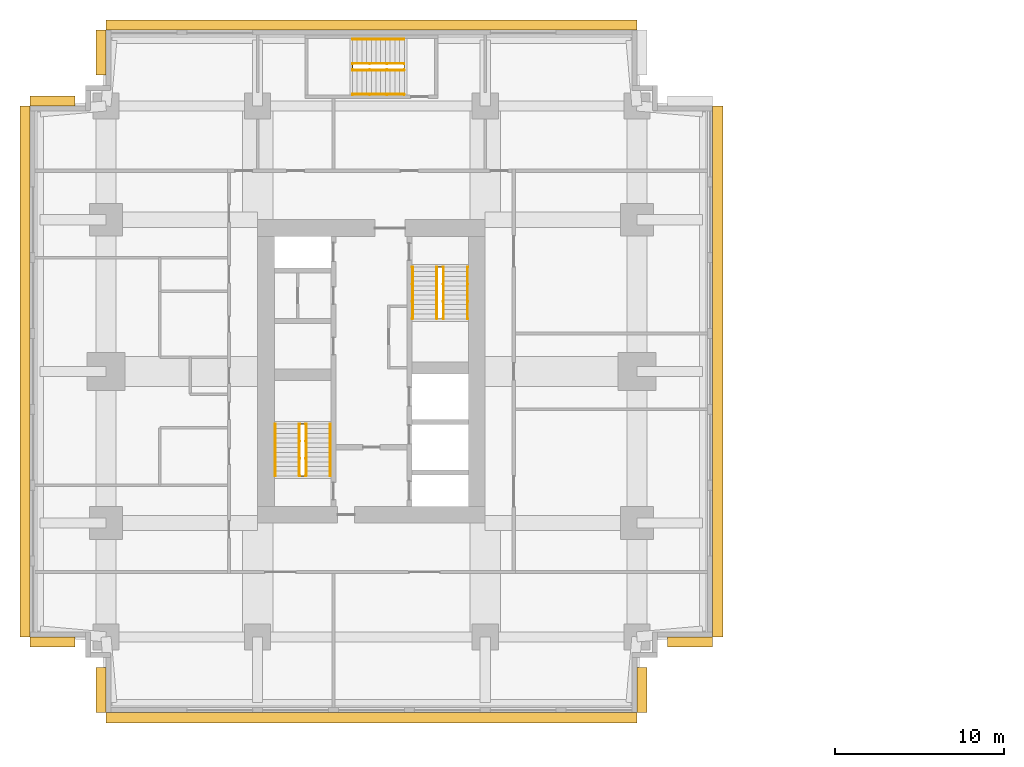
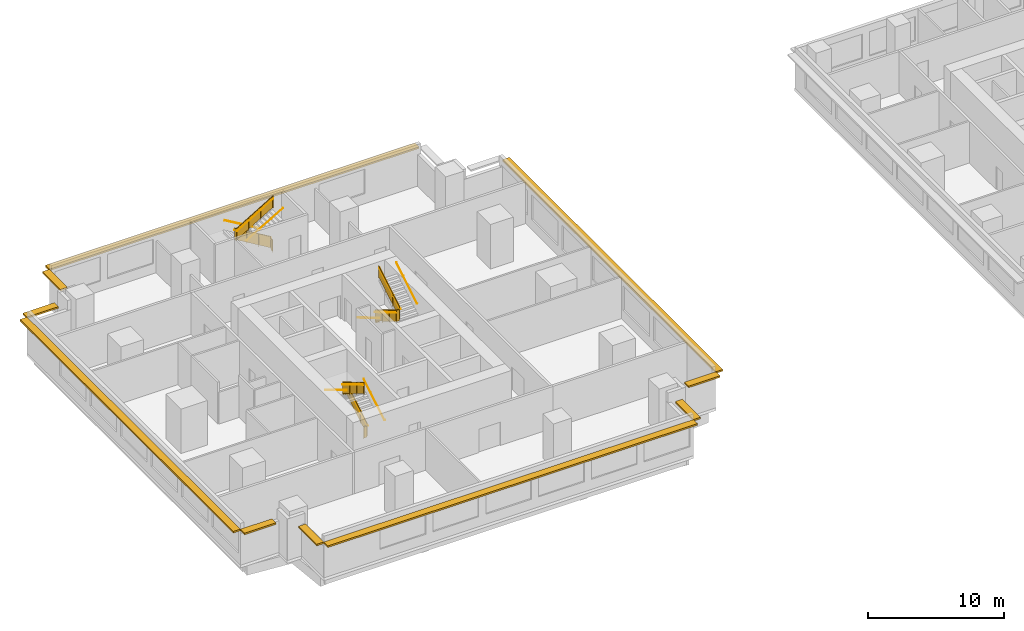
# One storey, part 10 of 11: 15 railings, 10 shading devices.
"""IFC4 building model written with IfcOpenShell, lengths in metres."""

from ifc_helpers import new_model, si_unit, direction, frame, origin, origin_2d, place, context, subcontext, project, spatial, polyline, rectangle, circle, outline, extrude, material, layer, layer_set, type_object, element, save


model = new_model("IFC4")

# Units and contexts
model_context = context("Model", 3, precision=1e-05, world=origin(), true_north=direction((0.0, 1.0)))
body_context = subcontext(model_context, "Body", "Model", "MODEL_VIEW")
ifc_project = project(units=[si_unit("LENGTHUNIT", "METRE"), si_unit("AREAUNIT", "SQUARE_METRE"), si_unit("VOLUMEUNIT", "CUBIC_METRE"), si_unit("PLANEANGLEUNIT", "RADIAN"), si_unit("MASSUNIT", "GRAM", prefix="KILO")], contexts=[model_context])

# Site, building, storey
site_placement = place(None, origin())
site = spatial("IfcSite", under=ifc_project, at=site_placement, CompositionType="ELEMENT")
building_placement = place(site_placement, origin())
building = spatial("IfcBuilding", under=site, at=building_placement, Name="Namib Vertical Campus", CompositionType="ELEMENT")
storey_placement = place(building_placement, frame((0.0, 0.0, 221.0)))
storey = spatial("IfcBuildingStorey", under=building, at=storey_placement, Name="L52", CompositionType="ELEMENT", Elevation=221.0)

# Railings
ifc_material_1 = material(Name="Steel handrail", Category="steel")
railing_type_1 = type_object("IfcRailingType", Name="Handrail 900", PredefinedType="HANDRAIL", material=ifc_material_1)
railing_1_placement = place(storey_placement, frame((17.800048828125, 14.050048828125, 0.166748046875)))
element("IfcRailing", 1, at=railing_1_placement, inside=storey, type_object=railing_type_1, Name="Handrail HR1 A-S1 L52 1", PredefinedType="HANDRAIL", context=body_context, shape_type="SweptSolid", body=[
    extrude(circle(Radius=0.02392578125, at=origin_2d()), frame((0.0, 0.0, 0.8759765625), z_axis=(0.0, 0.859290745958, 0.51148745235), x_axis=(-1.0, 0.0, 0.0)), (0.0, 0.0, 1.0), 3.584228515625),
    extrude(circle(Radius=0.008056640625, at=origin_2d()), frame((0.0, 0.0, 0.8759765625), z_axis=(1.0, 0.0, 0.0), x_axis=(0.0, 0.0, 1.0)), (0.0, 0.0, 1.0), 0.050048828125),
    extrude(circle(Radius=0.008056640625, at=origin_2d()), frame((0.0, 1.026611328125, 1.48681640625), z_axis=(1.0, 0.0, 0.0), x_axis=(0.0, 0.0, 1.0)), (0.0, 0.0, 1.0), 0.050048828125),
    extrude(circle(Radius=0.008056640625, at=origin_2d()), frame((0.0, 2.05322265625, 2.09814453125), z_axis=(1.0, 0.0, 0.0), x_axis=(0.0, 0.0, 1.0)), (0.0, 0.0, 1.0), 0.050048828125),
    extrude(circle(Radius=0.008056640625, at=origin_2d()), frame((0.0, 3.079833984375, 2.708984375), z_axis=(1.0, 0.0, 0.0), x_axis=(0.0, 0.0, 1.0)), (0.0, 0.0, 1.0), 0.050048828125),
])
railing_2_placement = place(storey_placement, frame((14.550048828125, 17.1298828125, 2.166748046875)))
element("IfcRailing", 2, at=railing_2_placement, inside=storey, type_object=railing_type_1, Name="Handrail HR1 A-S1 L52 2", PredefinedType="HANDRAIL", context=body_context, shape_type="SweptSolid", body=[
    extrude(circle(Radius=0.02392578125, at=origin_2d()), frame((0.0, 0.0, 0.8759765625), z_axis=(0.0, -0.859290745958, 0.51148745235), x_axis=(1.0, 0.0, 0.0)), (0.0, 0.0, 1.0), 3.584228515625),
    extrude(circle(Radius=0.008056640625, at=origin_2d()), frame((0.0, 0.0, 0.8759765625), z_axis=(-1.0, 0.0, 0.0), x_axis=(0.0, 0.0, 1.0)), (0.0, 0.0, 1.0), 0.050048828125),
    extrude(circle(Radius=0.008056640625, at=origin_2d()), frame((0.0, -1.026611328125, 1.48681640625), z_axis=(-1.0, 0.0, 0.0), x_axis=(0.0, 0.0, 1.0)), (0.0, 0.0, 1.0), 0.050048828125),
    extrude(circle(Radius=0.008056640625, at=origin_2d()), frame((0.0, -2.05322265625, 2.09814453125), z_axis=(-1.0, 0.0, 0.0), x_axis=(0.0, 0.0, 1.0)), (0.0, 0.0, 1.0), 0.050048828125),
    extrude(circle(Radius=0.008056640625, at=origin_2d()), frame((0.0, -3.079833984375, 2.708984375), z_axis=(-1.0, 0.0, 0.0), x_axis=(0.0, 0.0, 1.0)), (0.0, 0.0, 1.0), 0.050048828125),
])
railing_3_placement = place(storey_placement, frame((16.375, 14.050048828125, 0.166748046875)))
element("IfcRailing", 3, at=railing_3_placement, inside=storey, type_object=railing_type_1, Name="Handrail HR1 A-S1 L52 1 at the well", PredefinedType="HANDRAIL", context=body_context, shape_type="SweptSolid", body=[
    extrude(circle(Radius=0.02392578125, at=origin_2d()), frame((0.0, 0.0, 0.8759765625), z_axis=(0.0, 0.859290745958, 0.51148745235), x_axis=(-1.0, 0.0, 0.0)), (0.0, 0.0, 1.0), 3.584228515625),
    extrude(circle(Radius=0.008056640625, at=origin_2d()), frame((0.0, 0.0, 0.8759765625), z_axis=(-1.0, 0.0, 0.0), x_axis=(0.0, 0.0, 1.0)), (0.0, 0.0, 1.0), 0.0400390625),
    extrude(circle(Radius=0.008056640625, at=origin_2d()), frame((0.0, 1.026611328125, 1.48681640625), z_axis=(-1.0, 0.0, 0.0), x_axis=(0.0, 0.0, 1.0)), (0.0, 0.0, 1.0), 0.0400390625),
    extrude(circle(Radius=0.008056640625, at=origin_2d()), frame((0.0, 2.05322265625, 2.09814453125), z_axis=(-1.0, 0.0, 0.0), x_axis=(0.0, 0.0, 1.0)), (0.0, 0.0, 1.0), 0.0400390625),
    extrude(circle(Radius=0.008056640625, at=origin_2d()), frame((0.0, 3.079833984375, 2.708984375), z_axis=(-1.0, 0.0, 0.0), x_axis=(0.0, 0.0, 1.0)), (0.0, 0.0, 1.0), 0.0400390625),
])
railing_4_placement = place(storey_placement, frame((15.97509765625, 17.1298828125, 2.166748046875)))
element("IfcRailing", 4, at=railing_4_placement, inside=storey, type_object=railing_type_1, Name="Handrail HR1 A-S1 L52 2 at the well", PredefinedType="HANDRAIL", context=body_context, shape_type="SweptSolid", body=[
    extrude(circle(Radius=0.02392578125, at=origin_2d()), frame((0.0, 0.0, 0.8759765625), z_axis=(0.0, -0.859290745958, 0.51148745235), x_axis=(1.0, 0.0, 0.0)), (0.0, 0.0, 1.0), 3.584228515625),
    extrude(circle(Radius=0.008056640625, at=origin_2d()), frame((0.0, 0.0, 0.8759765625), z_axis=(1.0, 0.0, 0.0), x_axis=(0.0, 0.0, 1.0)), (0.0, 0.0, 1.0), 0.0400390625),
    extrude(circle(Radius=0.008056640625, at=origin_2d()), frame((0.0, -1.026611328125, 1.48681640625), z_axis=(1.0, 0.0, 0.0), x_axis=(0.0, 0.0, 1.0)), (0.0, 0.0, 1.0), 0.0400390625),
    extrude(circle(Radius=0.008056640625, at=origin_2d()), frame((0.0, -2.05322265625, 2.09814453125), z_axis=(1.0, 0.0, 0.0), x_axis=(0.0, 0.0, 1.0)), (0.0, 0.0, 1.0), 0.0400390625),
    extrude(circle(Radius=0.008056640625, at=origin_2d()), frame((0.0, -3.079833984375, 2.708984375), z_axis=(1.0, 0.0, 0.0), x_axis=(0.0, 0.0, 1.0)), (0.0, 0.0, 1.0), 0.0400390625),
])
railing_5_placement = place(storey_placement, frame((22.699951171875, 26.449951171875, 0.166748046875)))
element("IfcRailing", 5, at=railing_5_placement, inside=storey, type_object=railing_type_1, Name="Handrail HR1 A-S2 L52 1", PredefinedType="HANDRAIL", context=body_context, shape_type="SweptSolid", body=[
    extrude(circle(Radius=0.02392578125, at=origin_2d()), frame((0.0, 0.0, 0.8759765625), z_axis=(0.0, -0.859290745958, 0.51148745235), x_axis=(1.0, 0.0, 0.0)), (0.0, 0.0, 1.0), 3.584228515625),
    extrude(circle(Radius=0.008056640625, at=origin_2d()), frame((0.0, 0.0, 0.8759765625), z_axis=(-1.0, 0.0, 0.0), x_axis=(0.0, 0.0, 1.0)), (0.0, 0.0, 1.0), 0.050048828125),
    extrude(circle(Radius=0.008056640625, at=origin_2d()), frame((0.0, -1.026611328125, 1.48681640625), z_axis=(-1.0, 0.0, 0.0), x_axis=(0.0, 0.0, 1.0)), (0.0, 0.0, 1.0), 0.050048828125),
    extrude(circle(Radius=0.008056640625, at=origin_2d()), frame((0.0, -2.05322265625, 2.09814453125), z_axis=(-1.0, 0.0, 0.0), x_axis=(0.0, 0.0, 1.0)), (0.0, 0.0, 1.0), 0.050048828125),
    extrude(circle(Radius=0.008056640625, at=origin_2d()), frame((0.0, -3.079833984375, 2.708984375), z_axis=(-1.0, 0.0, 0.0), x_axis=(0.0, 0.0, 1.0)), (0.0, 0.0, 1.0), 0.050048828125),
])
railing_6_placement = place(storey_placement, frame((25.949951171875, 23.3701171875, 2.166748046875)))
element("IfcRailing", 6, at=railing_6_placement, inside=storey, type_object=railing_type_1, Name="Handrail HR1 A-S2 L52 2", PredefinedType="HANDRAIL", context=body_context, shape_type="SweptSolid", body=[
    extrude(circle(Radius=0.02392578125, at=origin_2d()), frame((0.0, 0.0, 0.8759765625), z_axis=(0.0, 0.859290745958, 0.51148745235), x_axis=(-1.0, 0.0, 0.0)), (0.0, 0.0, 1.0), 3.584228515625),
    extrude(circle(Radius=0.008056640625, at=origin_2d()), frame((0.0, 0.0, 0.8759765625), z_axis=(1.0, 0.0, 0.0), x_axis=(0.0, 0.0, 1.0)), (0.0, 0.0, 1.0), 0.050048828125),
    extrude(circle(Radius=0.008056640625, at=origin_2d()), frame((0.0, 1.026611328125, 1.48681640625), z_axis=(1.0, 0.0, 0.0), x_axis=(0.0, 0.0, 1.0)), (0.0, 0.0, 1.0), 0.050048828125),
    extrude(circle(Radius=0.008056640625, at=origin_2d()), frame((0.0, 2.05322265625, 2.09814453125), z_axis=(1.0, 0.0, 0.0), x_axis=(0.0, 0.0, 1.0)), (0.0, 0.0, 1.0), 0.050048828125),
    extrude(circle(Radius=0.008056640625, at=origin_2d()), frame((0.0, 3.079833984375, 2.708984375), z_axis=(1.0, 0.0, 0.0), x_axis=(0.0, 0.0, 1.0)), (0.0, 0.0, 1.0), 0.050048828125),
])
railing_7_placement = place(storey_placement, frame((24.125, 26.449951171875, 0.166748046875)))
element("IfcRailing", 7, at=railing_7_placement, inside=storey, type_object=railing_type_1, Name="Handrail HR1 A-S2 L52 1 at the well", PredefinedType="HANDRAIL", context=body_context, shape_type="SweptSolid", body=[
    extrude(circle(Radius=0.02392578125, at=origin_2d()), frame((0.0, 0.0, 0.8759765625), z_axis=(0.0, -0.859290745958, 0.51148745235), x_axis=(1.0, 0.0, 0.0)), (0.0, 0.0, 1.0), 3.584228515625),
    extrude(circle(Radius=0.008056640625, at=origin_2d()), frame((0.0, 0.0, 0.8759765625), z_axis=(1.0, 0.0, 0.0), x_axis=(0.0, 0.0, 1.0)), (0.0, 0.0, 1.0), 0.0400390625),
    extrude(circle(Radius=0.008056640625, at=origin_2d()), frame((0.0, -1.026611328125, 1.48681640625), z_axis=(1.0, 0.0, 0.0), x_axis=(0.0, 0.0, 1.0)), (0.0, 0.0, 1.0), 0.0400390625),
    extrude(circle(Radius=0.008056640625, at=origin_2d()), frame((0.0, -2.05322265625, 2.09814453125), z_axis=(1.0, 0.0, 0.0), x_axis=(0.0, 0.0, 1.0)), (0.0, 0.0, 1.0), 0.0400390625),
    extrude(circle(Radius=0.008056640625, at=origin_2d()), frame((0.0, -3.079833984375, 2.708984375), z_axis=(1.0, 0.0, 0.0), x_axis=(0.0, 0.0, 1.0)), (0.0, 0.0, 1.0), 0.0400390625),
])
railing_8_placement = place(storey_placement, frame((24.52490234375, 23.3701171875, 2.166748046875)))
element("IfcRailing", 8, at=railing_8_placement, inside=storey, type_object=railing_type_1, Name="Handrail HR1 A-S2 L52 2 at the well", PredefinedType="HANDRAIL", context=body_context, shape_type="SweptSolid", body=[
    extrude(circle(Radius=0.02392578125, at=origin_2d()), frame((0.0, 0.0, 0.8759765625), z_axis=(0.0, 0.859290745958, 0.51148745235), x_axis=(-1.0, 0.0, 0.0)), (0.0, 0.0, 1.0), 3.584228515625),
    extrude(circle(Radius=0.008056640625, at=origin_2d()), frame((0.0, 0.0, 0.8759765625), z_axis=(-1.0, 0.0, 0.0), x_axis=(0.0, 0.0, 1.0)), (0.0, 0.0, 1.0), 0.0400390625),
    extrude(circle(Radius=0.008056640625, at=origin_2d()), frame((0.0, 1.026611328125, 1.48681640625), z_axis=(-1.0, 0.0, 0.0), x_axis=(0.0, 0.0, 1.0)), (0.0, 0.0, 1.0), 0.0400390625),
    extrude(circle(Radius=0.008056640625, at=origin_2d()), frame((0.0, 2.05322265625, 2.09814453125), z_axis=(-1.0, 0.0, 0.0), x_axis=(0.0, 0.0, 1.0)), (0.0, 0.0, 1.0), 0.0400390625),
    extrude(circle(Radius=0.008056640625, at=origin_2d()), frame((0.0, 3.079833984375, 2.708984375), z_axis=(-1.0, 0.0, 0.0), x_axis=(0.0, 0.0, 1.0)), (0.0, 0.0, 1.0), 0.0400390625),
])
railing_9_placement = place(storey_placement, frame((22.199951171875, 39.949951171875, 0.166748046875)))
element("IfcRailing", 9, at=railing_9_placement, inside=storey, type_object=railing_type_1, Name="Handrail HR1 A-S3 L52 1", PredefinedType="HANDRAIL", context=body_context, shape_type="SweptSolid", body=[
    extrude(circle(Radius=0.02392578125, at=origin_2d()), frame((0.0, 0.0, 0.8759765625), z_axis=(-0.859290745958, 0.0, 0.51148745235), x_axis=(0.0, -1.0, 0.0)), (0.0, 0.0, 1.0), 3.584228515625),
    extrude(circle(Radius=0.008056640625, at=origin_2d()), frame((0.0, 0.0, 0.8759765625), z_axis=(0.0, 1.0, 0.0), x_axis=(0.0, 0.0, 1.0)), (0.0, 0.0, 1.0), 0.050048828125),
    extrude(circle(Radius=0.008056640625, at=origin_2d()), frame((-1.026611328125, 0.0, 1.48681640625), z_axis=(0.0, 1.0, 0.0), x_axis=(0.0, 0.0, 1.0)), (0.0, 0.0, 1.0), 0.050048828125),
    extrude(circle(Radius=0.008056640625, at=origin_2d()), frame((-2.05322265625, 0.0, 2.09814453125), z_axis=(0.0, 1.0, 0.0), x_axis=(0.0, 0.0, 1.0)), (0.0, 0.0, 1.0), 0.050048828125),
    extrude(circle(Radius=0.008056640625, at=origin_2d()), frame((-3.079833984375, 0.0, 2.708984375), z_axis=(0.0, 1.0, 0.0), x_axis=(0.0, 0.0, 1.0)), (0.0, 0.0, 1.0), 0.050048828125),
])
railing_10_placement = place(storey_placement, frame((19.1201171875, 36.699951171875, 2.166748046875)))
element("IfcRailing", 10, at=railing_10_placement, inside=storey, type_object=railing_type_1, Name="Handrail HR1 A-S3 L52 2", PredefinedType="HANDRAIL", context=body_context, shape_type="SweptSolid", body=[
    extrude(circle(Radius=0.02392578125, at=origin_2d()), frame((0.0, 0.0, 0.8759765625), z_axis=(0.859290745958, 0.0, 0.51148745235), x_axis=(0.0, 1.0, 0.0)), (0.0, 0.0, 1.0), 3.584228515625),
    extrude(circle(Radius=0.008056640625, at=origin_2d()), frame((0.0, 0.0, 0.8759765625), z_axis=(0.0, -1.0, 0.0), x_axis=(0.0, 0.0, 1.0)), (0.0, 0.0, 1.0), 0.050048828125),
    extrude(circle(Radius=0.008056640625, at=origin_2d()), frame((1.026611328125, 0.0, 1.48681640625), z_axis=(0.0, -1.0, 0.0), x_axis=(0.0, 0.0, 1.0)), (0.0, 0.0, 1.0), 0.050048828125),
    extrude(circle(Radius=0.008056640625, at=origin_2d()), frame((2.05322265625, 0.0, 2.09814453125), z_axis=(0.0, -1.0, 0.0), x_axis=(0.0, 0.0, 1.0)), (0.0, 0.0, 1.0), 0.050048828125),
    extrude(circle(Radius=0.008056640625, at=origin_2d()), frame((3.079833984375, 0.0, 2.708984375), z_axis=(0.0, -1.0, 0.0), x_axis=(0.0, 0.0, 1.0)), (0.0, 0.0, 1.0), 0.050048828125),
])
railing_11_placement = place(storey_placement, frame((22.199951171875, 38.52490234375, 0.166748046875)))
element("IfcRailing", 11, at=railing_11_placement, inside=storey, type_object=railing_type_1, Name="Handrail HR1 A-S3 L52 1 at the well", PredefinedType="HANDRAIL", context=body_context, shape_type="SweptSolid", body=[
    extrude(circle(Radius=0.02392578125, at=origin_2d()), frame((0.0, 0.0, 0.8759765625), z_axis=(-0.859290745958, 0.0, 0.51148745235), x_axis=(0.0, -1.0, 0.0)), (0.0, 0.0, 1.0), 3.584228515625),
    extrude(circle(Radius=0.008056640625, at=origin_2d()), frame((0.0, 0.0, 0.8759765625), z_axis=(0.0, -1.0, 0.0), x_axis=(0.0, 0.0, 1.0)), (0.0, 0.0, 1.0), 0.0400390625),
    extrude(circle(Radius=0.008056640625, at=origin_2d()), frame((-1.026611328125, 0.0, 1.48681640625), z_axis=(0.0, -1.0, 0.0), x_axis=(0.0, 0.0, 1.0)), (0.0, 0.0, 1.0), 0.0400390625),
    extrude(circle(Radius=0.008056640625, at=origin_2d()), frame((-2.05322265625, 0.0, 2.09814453125), z_axis=(0.0, -1.0, 0.0), x_axis=(0.0, 0.0, 1.0)), (0.0, 0.0, 1.0), 0.0400390625),
    extrude(circle(Radius=0.008056640625, at=origin_2d()), frame((-3.079833984375, 0.0, 2.708984375), z_axis=(0.0, -1.0, 0.0), x_axis=(0.0, 0.0, 1.0)), (0.0, 0.0, 1.0), 0.0400390625),
])
railing_12_placement = place(storey_placement, frame((19.1201171875, 38.125, 2.166748046875)))
element("IfcRailing", 12, at=railing_12_placement, inside=storey, type_object=railing_type_1, Name="Handrail HR1 A-S3 L52 2 at the well", PredefinedType="HANDRAIL", context=body_context, shape_type="SweptSolid", body=[
    extrude(circle(Radius=0.02392578125, at=origin_2d()), frame((0.0, 0.0, 0.8759765625), z_axis=(0.859290745958, 0.0, 0.51148745235), x_axis=(0.0, 1.0, 0.0)), (0.0, 0.0, 1.0), 3.584228515625),
    extrude(circle(Radius=0.008056640625, at=origin_2d()), frame((0.0, 0.0, 0.8759765625), z_axis=(0.0, 1.0, 0.0), x_axis=(0.0, 0.0, 1.0)), (0.0, 0.0, 1.0), 0.0400390625),
    extrude(circle(Radius=0.008056640625, at=origin_2d()), frame((1.026611328125, 0.0, 1.48681640625), z_axis=(0.0, 1.0, 0.0), x_axis=(0.0, 0.0, 1.0)), (0.0, 0.0, 1.0), 0.0400390625),
    extrude(circle(Radius=0.008056640625, at=origin_2d()), frame((2.05322265625, 0.0, 2.09814453125), z_axis=(0.0, 1.0, 0.0), x_axis=(0.0, 0.0, 1.0)), (0.0, 0.0, 1.0), 0.0400390625),
    extrude(circle(Radius=0.008056640625, at=origin_2d()), frame((3.079833984375, 0.0, 2.708984375), z_axis=(0.0, 1.0, 0.0), x_axis=(0.0, 0.0, 1.0)), (0.0, 0.0, 1.0), 0.0400390625),
])
ifc_material_2 = material(Name="Steel balustrade", Category="steel")
railing_type_2 = type_object("IfcRailingType", Name="Stair guard 1100", PredefinedType="GUARDRAIL", material=ifc_material_2)
railing_13_placement = place(storey_placement, frame((16.02490234375, 14.050048828125, 0.0)))
element("IfcRailing", 13, at=railing_13_placement, inside=storey, type_object=railing_type_2, Name="Stair guard GR1 A-S1 L52", PredefinedType="GUARDRAIL", context=body_context, shape_type="SweptSolid", body=[
    extrude(circle(Radius=0.02392578125, at=origin_2d()), frame((0.0, 0.0, 1.076171875), z_axis=(1.0, 0.0, 0.0), x_axis=(0.0, 1.0, 0.0)), (0.0, 0.0, 1.0), 0.300048828125),
    extrude(outline(polyline([(0.02099609375, 0.050048828125), (0.279052734375, 0.050048828125), (0.279052734375, 1.052001953125), (0.02099609375, 1.052001953125), (0.02099609375, 0.050048828125)])), frame((0.0, 0.010009765625, 0.0), z_axis=(0.0, -1.0, 0.0), x_axis=(1.0, 0.0, 0.0)), (0.0, 0.0, 1.0), 0.02001953125),
    extrude(circle(Radius=0.02392578125, at=origin_2d()), frame((0.300048828125, 0.0, 1.076171875), z_axis=(0.0, 0.0, 1.0), x_axis=(1.0, 0.0, 0.0)), (0.0, 0.0, 1.0), 0.166748046875),
    extrude(circle(Radius=0.02392578125, at=origin_2d()), frame((0.300048828125, 0.0, 1.24267578125), z_axis=(0.0, 0.859290745958, 0.51148745235), x_axis=(-1.0, 0.0, 0.0)), (0.0, 0.0, 1.0), 3.584228515625),
    extrude(outline(polyline([(0.02099609375, 0.0625), (3.058837890625, 1.870849609375), (3.058837890625, 2.872802734375), (0.02099609375, 1.064453125), (0.02099609375, 0.0625)])), frame((0.2900390625, 0.0, 0.166748046875), z_axis=(1.0, 0.0, 0.0), x_axis=(0.0, 1.0, 0.0)), (0.0, 0.0, 1.0), 0.02001953125),
    extrude(circle(Radius=0.02392578125, at=origin_2d()), frame((0.300048828125, 3.079833984375, 3.076171875), z_axis=(-1.0, 0.0, 0.0), x_axis=(0.0, -1.0, 0.0)), (0.0, 0.0, 1.0), 0.300048828125),
    extrude(outline(polyline([(0.02099609375, 0.050048828125), (0.279052734375, 0.050048828125), (0.279052734375, 1.052001953125), (0.02099609375, 1.052001953125), (0.02099609375, 0.050048828125)])), frame((0.300048828125, 3.06982421875, 2.0), z_axis=(0.0, 1.0, 0.0), x_axis=(-1.0, 0.0, 0.0)), (0.0, 0.0, 1.0), 0.02001953125),
    extrude(circle(Radius=0.02392578125, at=origin_2d()), frame((0.0, 3.079833984375, 3.076171875), z_axis=(0.0, 0.0, 1.0), x_axis=(1.0, 0.0, 0.0)), (0.0, 0.0, 1.0), 0.166748046875),
    extrude(circle(Radius=0.02392578125, at=origin_2d()), frame((0.0, 3.079833984375, 3.24267578125), z_axis=(0.0, -0.859290745958, 0.51148745235), x_axis=(1.0, 0.0, 0.0)), (0.0, 0.0, 1.0), 3.584228515625),
    extrude(outline(polyline([(0.02099609375, 0.0625), (3.058837890625, 1.870849609375), (3.058837890625, 2.872802734375), (0.02099609375, 1.064453125), (0.02099609375, 0.0625)])), frame((0.010009765625, 3.079833984375, 2.166748046875), z_axis=(-1.0, 0.0, 0.0), x_axis=(0.0, -1.0, 0.0)), (0.0, 0.0, 1.0), 0.02001953125),
    extrude(circle(Radius=0.02392578125, at=origin_2d()), frame((0.0, 0.0, 5.076171875), z_axis=(0.0, -1.0, 0.0), x_axis=(1.0, 0.0, 0.0)), (0.0, 0.0, 1.0), 0.050048828125),
    extrude(outline(polyline([(0.02099609375, 0.050048828125), (0.029052734375, 0.050048828125), (0.029052734375, 1.052001953125), (0.02099609375, 1.052001953125), (0.02099609375, 0.050048828125)])), frame((0.010009765625, 0.0, 4.0), z_axis=(-1.0, 0.0, 0.0), x_axis=(0.0, -1.0, 0.0)), (0.0, 0.0, 1.0), 0.02001953125),
    extrude(circle(Radius=0.02099609375, at=origin_2d()), origin(), (0.0, 0.0, 1.0), 1.052001953125),
    extrude(circle(Radius=0.02099609375, at=origin_2d()), frame((0.300048828125, 0.0, 0.166748046875)), (0.0, 0.0, 1.0), 1.052001953125),
    extrude(circle(Radius=0.02099609375, at=origin_2d()), frame((0.300048828125, 1.026611328125, 0.666748046875)), (0.0, 0.0, 1.0), 1.1630859375),
    extrude(circle(Radius=0.02099609375, at=origin_2d()), frame((0.300048828125, 2.05322265625, 1.33349609375)), (0.0, 0.0, 1.0), 1.107421875),
    extrude(circle(Radius=0.02099609375, at=origin_2d()), frame((0.300048828125, 3.079833984375, 2.0)), (0.0, 0.0, 1.0), 1.052001953125),
    extrude(circle(Radius=0.02099609375, at=origin_2d()), frame((0.0, 3.079833984375, 2.166748046875)), (0.0, 0.0, 1.0), 1.052001953125),
    extrude(circle(Radius=0.02099609375, at=origin_2d()), frame((0.0, 2.05322265625, 2.666748046875)), (0.0, 0.0, 1.0), 1.1630859375),
    extrude(circle(Radius=0.02099609375, at=origin_2d()), frame((0.0, 1.026611328125, 3.33349609375)), (0.0, 0.0, 1.0), 1.107421875),
    extrude(circle(Radius=0.02099609375, at=origin_2d()), frame((0.0, 0.0, 4.0)), (0.0, 0.0, 1.0), 1.052001953125),
    extrude(circle(Radius=0.02099609375, at=origin_2d()), frame((0.0, -0.050048828125, 4.0)), (0.0, 0.0, 1.0), 1.052001953125),
])
railing_14_placement = place(storey_placement, frame((24.47509765625, 26.449951171875, 0.0)))
element("IfcRailing", 14, at=railing_14_placement, inside=storey, type_object=railing_type_2, Name="Stair guard GR1 A-S2 L52", PredefinedType="GUARDRAIL", context=body_context, shape_type="SweptSolid", body=[
    extrude(circle(Radius=0.02392578125, at=origin_2d()), frame((0.0, 0.0, 1.076171875), z_axis=(-1.0, 0.0, 0.0), x_axis=(0.0, -1.0, 0.0)), (0.0, 0.0, 1.0), 0.300048828125),
    extrude(outline(polyline([(0.02099609375, 0.050048828125), (0.279052734375, 0.050048828125), (0.279052734375, 1.052001953125), (0.02099609375, 1.052001953125), (0.02099609375, 0.050048828125)])), frame((0.0, -0.010009765625, 0.0), z_axis=(0.0, 1.0, 0.0), x_axis=(-1.0, 0.0, 0.0)), (0.0, 0.0, 1.0), 0.02001953125),
    extrude(circle(Radius=0.02392578125, at=origin_2d()), frame((-0.300048828125, 0.0, 1.076171875), z_axis=(0.0, 0.0, 1.0), x_axis=(1.0, 0.0, 0.0)), (0.0, 0.0, 1.0), 0.166748046875),
    extrude(circle(Radius=0.02392578125, at=origin_2d()), frame((-0.300048828125, 0.0, 1.24267578125), z_axis=(0.0, -0.859290745958, 0.51148745235), x_axis=(1.0, 0.0, 0.0)), (0.0, 0.0, 1.0), 3.584228515625),
    extrude(outline(polyline([(0.02099609375, 0.0625), (3.058837890625, 1.870849609375), (3.058837890625, 2.872802734375), (0.02099609375, 1.064453125), (0.02099609375, 0.0625)])), frame((-0.2900390625, 0.0, 0.166748046875), z_axis=(-1.0, 0.0, 0.0), x_axis=(0.0, -1.0, 0.0)), (0.0, 0.0, 1.0), 0.02001953125),
    extrude(circle(Radius=0.02392578125, at=origin_2d()), frame((-0.300048828125, -3.079833984375, 3.076171875), z_axis=(1.0, 0.0, 0.0), x_axis=(0.0, 1.0, 0.0)), (0.0, 0.0, 1.0), 0.300048828125),
    extrude(outline(polyline([(0.02099609375, 0.050048828125), (0.279052734375, 0.050048828125), (0.279052734375, 1.052001953125), (0.02099609375, 1.052001953125), (0.02099609375, 0.050048828125)])), frame((-0.300048828125, -3.06982421875, 2.0), z_axis=(0.0, -1.0, 0.0), x_axis=(1.0, 0.0, 0.0)), (0.0, 0.0, 1.0), 0.02001953125),
    extrude(circle(Radius=0.02392578125, at=origin_2d()), frame((0.0, -3.079833984375, 3.076171875), z_axis=(0.0, 0.0, 1.0), x_axis=(1.0, 0.0, 0.0)), (0.0, 0.0, 1.0), 0.166748046875),
    extrude(circle(Radius=0.02392578125, at=origin_2d()), frame((0.0, -3.079833984375, 3.24267578125), z_axis=(0.0, 0.859290745958, 0.51148745235), x_axis=(-1.0, 0.0, 0.0)), (0.0, 0.0, 1.0), 3.584228515625),
    extrude(outline(polyline([(0.02099609375, 0.0625), (3.058837890625, 1.870849609375), (3.058837890625, 2.872802734375), (0.02099609375, 1.064453125), (0.02099609375, 0.0625)])), frame((-0.010009765625, -3.079833984375, 2.166748046875), z_axis=(1.0, 0.0, 0.0), x_axis=(0.0, 1.0, 0.0)), (0.0, 0.0, 1.0), 0.02001953125),
    extrude(circle(Radius=0.02392578125, at=origin_2d()), frame((0.0, 0.0, 5.076171875), z_axis=(0.0, 1.0, 0.0), x_axis=(-1.0, 0.0, 0.0)), (0.0, 0.0, 1.0), 0.050048828125),
    extrude(outline(polyline([(0.02099609375, 0.050048828125), (0.029052734375, 0.050048828125), (0.029052734375, 1.052001953125), (0.02099609375, 1.052001953125), (0.02099609375, 0.050048828125)])), frame((-0.010009765625, 0.0, 4.0), z_axis=(1.0, 0.0, 0.0), x_axis=(0.0, 1.0, 0.0)), (0.0, 0.0, 1.0), 0.02001953125),
    extrude(circle(Radius=0.02099609375, at=origin_2d()), origin(), (0.0, 0.0, 1.0), 1.052001953125),
    extrude(circle(Radius=0.02099609375, at=origin_2d()), frame((-0.300048828125, 0.0, 0.166748046875)), (0.0, 0.0, 1.0), 1.052001953125),
    extrude(circle(Radius=0.02099609375, at=origin_2d()), frame((-0.300048828125, -1.026611328125, 0.666748046875)), (0.0, 0.0, 1.0), 1.1630859375),
    extrude(circle(Radius=0.02099609375, at=origin_2d()), frame((-0.300048828125, -2.05322265625, 1.33349609375)), (0.0, 0.0, 1.0), 1.107421875),
    extrude(circle(Radius=0.02099609375, at=origin_2d()), frame((-0.300048828125, -3.079833984375, 2.0)), (0.0, 0.0, 1.0), 1.052001953125),
    extrude(circle(Radius=0.02099609375, at=origin_2d()), frame((0.0, -3.079833984375, 2.166748046875)), (0.0, 0.0, 1.0), 1.052001953125),
    extrude(circle(Radius=0.02099609375, at=origin_2d()), frame((0.0, -2.05322265625, 2.666748046875)), (0.0, 0.0, 1.0), 1.1630859375),
    extrude(circle(Radius=0.02099609375, at=origin_2d()), frame((0.0, -1.026611328125, 3.33349609375)), (0.0, 0.0, 1.0), 1.107421875),
    extrude(circle(Radius=0.02099609375, at=origin_2d()), frame((0.0, 0.0, 4.0)), (0.0, 0.0, 1.0), 1.052001953125),
    extrude(circle(Radius=0.02099609375, at=origin_2d()), frame((0.0, 0.050048828125, 4.0)), (0.0, 0.0, 1.0), 1.052001953125),
])
railing_15_placement = place(storey_placement, frame((22.199951171875, 38.175048828125, 0.0)))
element("IfcRailing", 15, at=railing_15_placement, inside=storey, type_object=railing_type_2, Name="Stair guard GR1 A-S3 L52", PredefinedType="GUARDRAIL", context=body_context, shape_type="SweptSolid", body=[
    extrude(circle(Radius=0.02392578125, at=origin_2d()), frame((0.0, 0.0, 1.076171875), z_axis=(0.0, 1.0, 0.0), x_axis=(-1.0, 0.0, 0.0)), (0.0, 0.0, 1.0), 0.300048828125),
    extrude(outline(polyline([(0.02099609375, 0.050048828125), (0.279052734375, 0.050048828125), (0.279052734375, 1.052001953125), (0.02099609375, 1.052001953125), (0.02099609375, 0.050048828125)])), frame((-0.010009765625, 0.0, 0.0), z_axis=(1.0, 0.0, 0.0), x_axis=(0.0, 1.0, 0.0)), (0.0, 0.0, 1.0), 0.02001953125),
    extrude(circle(Radius=0.02392578125, at=origin_2d()), frame((0.0, 0.300048828125, 1.076171875), z_axis=(0.0, 0.0, 1.0), x_axis=(1.0, 0.0, 0.0)), (0.0, 0.0, 1.0), 0.166748046875),
    extrude(circle(Radius=0.02392578125, at=origin_2d()), frame((0.0, 0.300048828125, 1.24267578125), z_axis=(-0.859290745958, 0.0, 0.51148745235), x_axis=(0.0, -1.0, 0.0)), (0.0, 0.0, 1.0), 3.584228515625),
    extrude(outline(polyline([(0.02099609375, 0.0625), (3.058837890625, 1.870849609375), (3.058837890625, 2.872802734375), (0.02099609375, 1.064453125), (0.02099609375, 0.0625)])), frame((0.0, 0.2900390625, 0.166748046875), z_axis=(0.0, 1.0, 0.0), x_axis=(-1.0, 0.0, 0.0)), (0.0, 0.0, 1.0), 0.02001953125),
    extrude(circle(Radius=0.02392578125, at=origin_2d()), frame((-3.079833984375, 0.300048828125, 3.076171875), z_axis=(0.0, -1.0, 0.0), x_axis=(1.0, 0.0, 0.0)), (0.0, 0.0, 1.0), 0.300048828125),
    extrude(outline(polyline([(0.02099609375, 0.050048828125), (0.279052734375, 0.050048828125), (0.279052734375, 1.052001953125), (0.02099609375, 1.052001953125), (0.02099609375, 0.050048828125)])), frame((-3.06982421875, 0.300048828125, 2.0), z_axis=(-1.0, 0.0, 0.0), x_axis=(0.0, -1.0, 0.0)), (0.0, 0.0, 1.0), 0.02001953125),
    extrude(circle(Radius=0.02392578125, at=origin_2d()), frame((-3.079833984375, 0.0, 3.076171875), z_axis=(0.0, 0.0, 1.0), x_axis=(1.0, 0.0, 0.0)), (0.0, 0.0, 1.0), 0.166748046875),
    extrude(circle(Radius=0.02392578125, at=origin_2d()), frame((-3.079833984375, 0.0, 3.24267578125), z_axis=(0.859290745958, 0.0, 0.51148745235), x_axis=(0.0, 1.0, 0.0)), (0.0, 0.0, 1.0), 3.584228515625),
    extrude(outline(polyline([(0.02099609375, 0.0625), (3.058837890625, 1.870849609375), (3.058837890625, 2.872802734375), (0.02099609375, 1.064453125), (0.02099609375, 0.0625)])), frame((-3.079833984375, 0.010009765625, 2.166748046875), z_axis=(0.0, -1.0, 0.0), x_axis=(1.0, 0.0, 0.0)), (0.0, 0.0, 1.0), 0.02001953125),
    extrude(circle(Radius=0.02392578125, at=origin_2d()), frame((0.0, 0.0, 5.076171875), z_axis=(1.0, 0.0, 0.0), x_axis=(0.0, 1.0, 0.0)), (0.0, 0.0, 1.0), 0.050048828125),
    extrude(outline(polyline([(0.02099609375, 0.050048828125), (0.029052734375, 0.050048828125), (0.029052734375, 1.052001953125), (0.02099609375, 1.052001953125), (0.02099609375, 0.050048828125)])), frame((0.0, 0.010009765625, 4.0), z_axis=(0.0, -1.0, 0.0), x_axis=(1.0, 0.0, 0.0)), (0.0, 0.0, 1.0), 0.02001953125),
    extrude(circle(Radius=0.02099609375, at=origin_2d()), origin(), (0.0, 0.0, 1.0), 1.052001953125),
    extrude(circle(Radius=0.02099609375, at=origin_2d()), frame((0.0, 0.300048828125, 0.166748046875)), (0.0, 0.0, 1.0), 1.052001953125),
    extrude(circle(Radius=0.02099609375, at=origin_2d()), frame((-1.026611328125, 0.300048828125, 0.666748046875)), (0.0, 0.0, 1.0), 1.1630859375),
    extrude(circle(Radius=0.02099609375, at=origin_2d()), frame((-2.05322265625, 0.300048828125, 1.33349609375)), (0.0, 0.0, 1.0), 1.107421875),
    extrude(circle(Radius=0.02099609375, at=origin_2d()), frame((-3.079833984375, 0.300048828125, 2.0)), (0.0, 0.0, 1.0), 1.052001953125),
    extrude(circle(Radius=0.02099609375, at=origin_2d()), frame((-3.079833984375, 0.0, 2.166748046875)), (0.0, 0.0, 1.0), 1.052001953125),
    extrude(circle(Radius=0.02099609375, at=origin_2d()), frame((-2.05322265625, 0.0, 2.666748046875)), (0.0, 0.0, 1.0), 1.1630859375),
    extrude(circle(Radius=0.02099609375, at=origin_2d()), frame((-1.026611328125, 0.0, 3.33349609375)), (0.0, 0.0, 1.0), 1.107421875),
    extrude(circle(Radius=0.02099609375, at=origin_2d()), frame((0.0, 0.0, 4.0)), (0.0, 0.0, 1.0), 1.052001953125),
    extrude(circle(Radius=0.02099609375, at=origin_2d()), frame((0.050048828125, 0.0, 4.0)), (0.0, 0.0, 1.0), 1.052001953125),
])

# Shading devices
ifc_material_3 = material(Name="Concrete C40/50 precast", Category="concrete")
ifc_layer = layer(ifc_material_3, 0.14990234375)
ifc_layer_set = layer_set([ifc_layer], Name="Concrete C40/50 precast")
shading_device_type = type_object("IfcShadingDeviceType", Name="Sunshade hood 600", PredefinedType="SHUTTER", material=ifc_layer_set)
shading_device_1_placement = place(storey_placement, frame((20.25, -0.300048828125, 3.10009765625), z_axis=(0.0, 0.0, 1.0), x_axis=(1.0, 0.0, 0.0)))
element("IfcShadingDevice", 16, at=shading_device_1_placement, inside=storey, type_object=shading_device_type, Name="Sunshade SH3 L52 1", PredefinedType="SHUTTER", context=body_context, shape_type="SweptSolid", body=[
    extrude(rectangle(XDim=31.5, YDim=0.60009765625, at=origin_2d()), origin(), (0.0, 0.0, 1.0), 0.14990234375),
])
for number, where, z_axis, x_axis, name in (
    (17, (36.300048828125, 1.33740234375, 3.10009765625), (0.0, 0.0, 1.0), (0.0, 1.0, 0.0), "Sunshade SH3 L52 2"),
    (18, (39.16259765625, 4.199951171875, 3.10009765625), (0.0, 0.0, 1.0), (1.0, 0.0, 0.0), "Sunshade SH3 L52 5"),
):
    element("IfcShadingDevice", number, at=place(storey_placement, frame(where, z_axis=z_axis, x_axis=x_axis)), inside=storey, type_object=shading_device_type, Name=name, PredefinedType="SHUTTER", context=body_context, shape_type="SweptSolid", body=[
        extrude(rectangle(XDim=2.675048828125, YDim=0.60009765625, at=origin_2d()), origin(), (0.0, 0.0, 1.0), 0.14990234375),
    ])
for number, where, z_axis, x_axis, name in (
    (19, (40.800048828125, 20.25, 3.10009765625), (0.0, 0.0, 1.0), (0.0, 1.0, 0.0), "Sunshade SH3 L52 6"),
    (20, (20.25, 40.800048828125, 3.10009765625), (0.0, 0.0, 1.0), (-1.0, 0.0, 0.0), "Sunshade SH3 L52 11"),
):
    element("IfcShadingDevice", number, at=place(storey_placement, frame(where, z_axis=z_axis, x_axis=x_axis)), inside=storey, type_object=shading_device_type, Name=name, PredefinedType="SHUTTER", context=body_context, shape_type="SweptSolid", body=[
        extrude(rectangle(XDim=31.5, YDim=0.60009765625, at=origin_2d()), origin(), (0.0, 0.0, 1.0), 0.14990234375),
    ])
for number, where, z_axis, x_axis, name in (
    (21, (4.199951171875, 39.16259765625, 3.10009765625), (0.0, 0.0, 1.0), (0.0, -1.0, 0.0), "Sunshade SH3 L52 12"),
    (22, (1.33740234375, 36.300048828125, 3.10009765625), (0.0, 0.0, 1.0), (-1.0, 0.0, 0.0), "Sunshade SH3 L52 15"),
):
    element("IfcShadingDevice", number, at=place(storey_placement, frame(where, z_axis=z_axis, x_axis=x_axis)), inside=storey, type_object=shading_device_type, Name=name, PredefinedType="SHUTTER", context=body_context, shape_type="SweptSolid", body=[
        extrude(rectangle(XDim=2.675048828125, YDim=0.60009765625, at=origin_2d()), origin(), (0.0, 0.0, 1.0), 0.14990234375),
    ])
shading_device_2_placement = place(storey_placement, frame((-0.300048828125, 20.25, 3.10009765625), z_axis=(0.0, 0.0, 1.0), x_axis=(0.0, -1.0, 0.0)))
element("IfcShadingDevice", 23, at=shading_device_2_placement, inside=storey, type_object=shading_device_type, Name="Sunshade SH3 L52 16", PredefinedType="SHUTTER", context=body_context, shape_type="SweptSolid", body=[
    extrude(rectangle(XDim=31.5, YDim=0.60009765625, at=origin_2d()), origin(), (0.0, 0.0, 1.0), 0.14990234375),
])
for number, where, z_axis, x_axis, name in (
    (24, (1.33740234375, 4.199951171875, 3.10009765625), (0.0, 0.0, 1.0), (1.0, 0.0, 0.0), "Sunshade SH3 L52 17"),
    (25, (4.199951171875, 1.33740234375, 3.10009765625), (0.0, 0.0, 1.0), (0.0, -1.0, 0.0), "Sunshade SH3 L52 20"),
):
    element("IfcShadingDevice", number, at=place(storey_placement, frame(where, z_axis=z_axis, x_axis=x_axis)), inside=storey, type_object=shading_device_type, Name=name, PredefinedType="SHUTTER", context=body_context, shape_type="SweptSolid", body=[
        extrude(rectangle(XDim=2.675048828125, YDim=0.60009765625, at=origin_2d()), origin(), (0.0, 0.0, 1.0), 0.14990234375),
    ])

save(model, "model.ifc")
